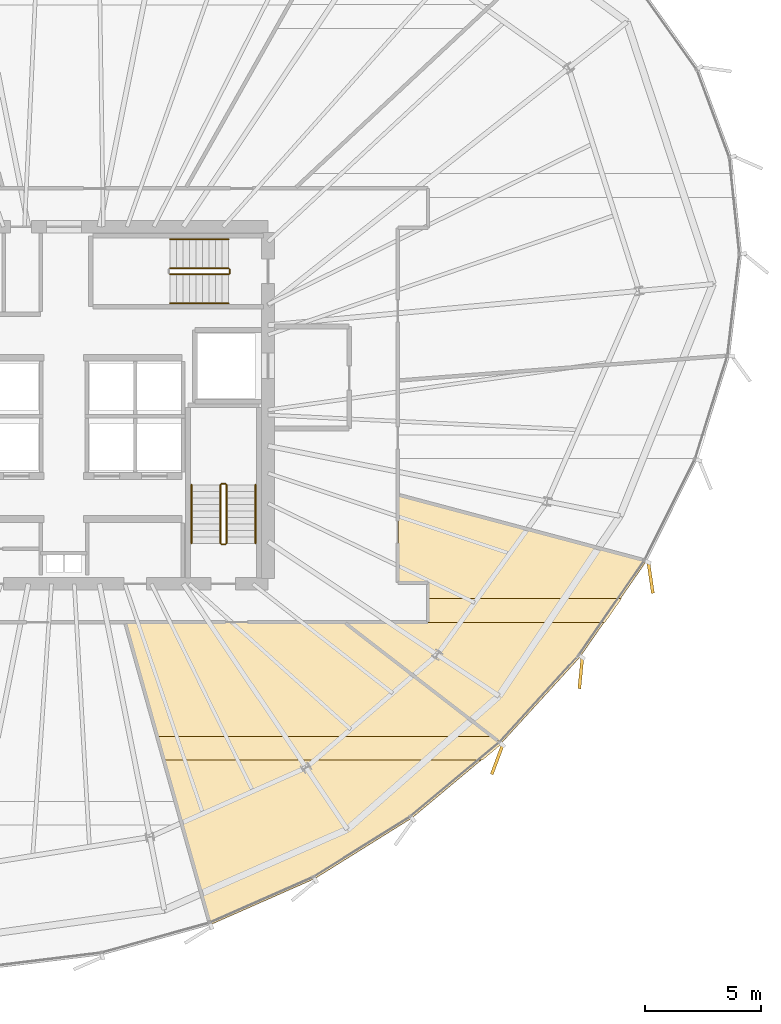
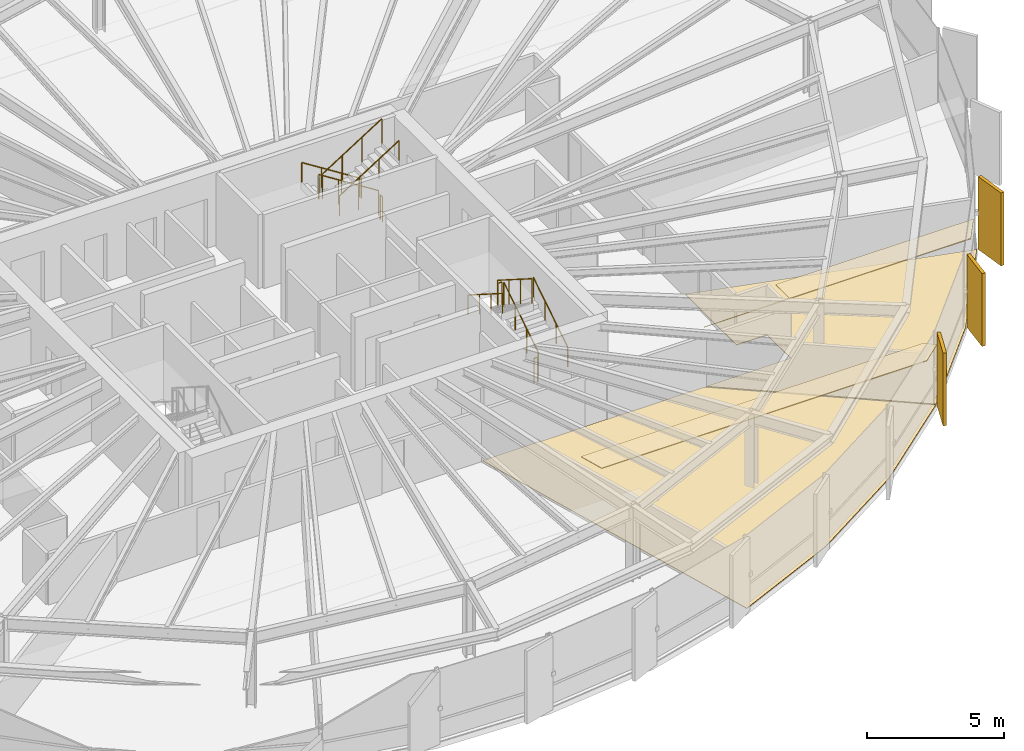
# One storey, part 34 of 35: 11 railings, 7 coverings.
"""IFC4 building model written with IfcOpenShell, lengths in metres."""

from ifc_helpers import new_model, si_unit, direction, frame, origin, origin_2d, place, context, subcontext, project, spatial, polyline, rectangle, circle, outline, extrude, source, transform, mapped, material, layer, layer_set, type_object, element, save


model = new_model("IFC4")

# Units and contexts
model_context = context("Model", 3, precision=1e-05, world=origin(), true_north=direction((0.0, 1.0)))
body_context = subcontext(model_context, "Body", "Model", "MODEL_VIEW")
ifc_project = project(units=[si_unit("LENGTHUNIT", "METRE"), si_unit("AREAUNIT", "SQUARE_METRE"), si_unit("VOLUMEUNIT", "CUBIC_METRE"), si_unit("PLANEANGLEUNIT", "RADIAN"), si_unit("MASSUNIT", "GRAM", prefix="KILO"), si_unit("THERMODYNAMICTEMPERATUREUNIT", "KELVIN")], contexts=[model_context])

# Site, building, storey
site_placement = place(None, origin())
site = spatial("IfcSite", under=ifc_project, at=site_placement, CompositionType="ELEMENT")
building_placement = place(site_placement, origin())
building = spatial("IfcBuilding", under=site, at=building_placement, Name="Kethvar Cultural Tower", CompositionType="ELEMENT")
storey_placement = place(building_placement, frame((0.0, 0.0, 146.550048828125)))
storey = spatial("IfcBuildingStorey", under=building, at=storey_placement, Name="L37", CompositionType="ELEMENT", Elevation=146.550048828125)

# Coverings
ifc_material_1 = material(Name="Acoustic Mineral Fibre Ceiling")
ifc_layer_1 = layer(ifc_material_1, 0.0400390625, Name="Acoustic Mineral Fibre Ceiling")
ifc_layer_set_1 = layer_set([ifc_layer_1], Name="Acoustic Mineral Fibre Ceiling (40 mm)")
covering_type_1 = type_object("IfcCoveringType", Name="CV-ACOUSTIC-CEIL", PredefinedType="CEILING", material=ifc_layer_set_1)
covering_1_placement = place(storey_placement, frame((0.0, 0.0, 2.669921875)))
element("IfcCovering", 1, at=covering_1_placement, inside=storey, type_object=covering_type_1, Name="L37 Room 03 Acoustic Ceiling Panel", PredefinedType="CEILING", context=body_context, shape_type="SweptSolid", body=[
    extrude(outline(polyline([(50.8076171875, 13.527099609375), (65.274169921875, 13.527099609375), (65.680419921875, 13.202880859375), (64.847900390625, 12.4970703125), (51.098388671875, 12.4970703125), (50.8076171875, 13.527099609375)])), origin(), (0.0, 0.0, 1.0), 0.0400390625),
])
covering_2_placement = place(storey_placement, frame((0.0, 0.0, 2.669921875)))
element("IfcCovering", 2, at=covering_2_placement, inside=storey, type_object=covering_type_1, Name="L37 Room 04 Acoustic Ceiling Panel", PredefinedType="CEILING", context=body_context, shape_type="SweptSolid", body=[
    extrude(outline(polyline([(58.8623046875, 18.44189453125), (62.47998046875, 18.469970703125), (62.47998046875, 19.4716796875), (70.850341796875, 19.4716796875), (70.13720703125, 18.441650390625), (58.8623046875, 18.44189453125)])), origin(), (0.0, 0.0, 1.0), 0.0400390625),
])
ifc_material_2 = material(Name="Architectural Oak Timber", Category="wood")
ifc_layer_2 = layer(ifc_material_2, 0.02490234375, Name="Architectural Oak Timber", Category="wood")
ifc_layer_set_2 = layer_set([ifc_layer_2], Name="Architectural Oak Timber (25 mm)")
covering_type_2 = type_object("IfcCoveringType", Name="CV-OAK-FLOOR", PredefinedType="FLOORING", material=ifc_layer_set_2)
covering_3_placement = place(storey_placement, origin())
element("IfcCovering", 3, at=covering_3_placement, inside=storey, type_object=covering_type_2, Name="L37 Room 03 Floor Finish", PredefinedType="FLOORING", context=body_context, shape_type="SweptSolid", body=[
    extrude(outline(polyline([(61.802001953125, 10.001708984375), (57.609375, 7.384765625), (53.13916015625, 5.413330078125), (49.46533203125, 18.429931640625), (58.873779296875, 18.429931640625), (65.628662109375, 13.201904296875), (61.802001953125, 10.001708984375)])), origin(), (0.0, 0.0, 1.0), 0.02490234375),
])
covering_4_placement = place(storey_placement, origin())
element("IfcCovering", 4, at=covering_4_placement, inside=storey, type_object=covering_type_2, Name="L37 Room 04 Floor Finish", PredefinedType="FLOORING", context=body_context, shape_type="SweptSolid", body=[
    extrude(outline(polyline([(69.0537109375, 16.947265625), (65.658203125, 13.229736328125), (58.939208984375, 18.429931640625), (62.5185546875, 18.4423828125), (62.515380859375, 20.16259765625), (61.219970703125, 20.169921875), (61.219970703125, 23.9140625), (71.896484375, 21.052490234375), (69.0537109375, 16.947265625)])), origin(), (0.0, 0.0, 1.0), 0.02490234375),
])

# Railings
ifc_material_3 = material(Name="Steel S355J2", Category="steel")
railing_type_1 = type_object("IfcRailingType", Name="RL-STAIR-GUARD", PredefinedType="BALUSTRADE", material=ifc_material_3)
railing_1_placement = place(storey_placement, frame((53.81005859375, 21.85009765625, 0.177490234375)))
element("IfcRailing", 5, at=railing_1_placement, inside=storey, type_object=railing_type_1, Name="L37 ST-02 stair guard 1", PredefinedType="BALUSTRADE", context=body_context, shape_type="SweptSolid", body=[
    extrude(circle(Radius=0.02392578125, at=origin_2d()), frame((0.0, 0.0, 1.09619140625), z_axis=(0.0, 0.84460694969, 0.535386869969), x_axis=(-1.0, 0.0, 0.0)), (0.0, 0.0, 1.0), 2.983642578125),
    extrude(circle(Radius=0.02099609375, at=origin_2d()), origin(), (0.0, 0.0, 1.0), 1.072021484375),
    extrude(circle(Radius=0.02099609375, at=origin_2d()), frame((0.0, 0.840087890625, 0.532470703125)), (0.0, 0.0, 1.0), 1.072021484375),
    extrude(circle(Radius=0.02099609375, at=origin_2d()), frame((0.0, 1.679931640625, 1.06494140625)), (0.0, 0.0, 1.0), 1.072021484375),
    extrude(circle(Radius=0.02099609375, at=origin_2d()), frame((0.0, 2.52001953125, 1.597412109375)), (0.0, 0.0, 1.0), 1.072021484375),
])
railing_2_placement = place(storey_placement, frame((53.760009765625, 24.419921875, 1.77490234375)))
element("IfcRailing", 6, at=railing_2_placement, inside=storey, type_object=railing_type_1, Name="L37 ST-02 stair guard 2", PredefinedType="BALUSTRADE", context=body_context, shape_type="SweptSolid", body=[
    extrude(circle(Radius=0.02392578125, at=origin_2d()), frame((0.0, 0.0, 1.09619140625), z_axis=(-1.0, 0.0, 0.0), x_axis=(0.0, -1.0, 0.0)), (0.0, 0.0, 1.0), 0.159912109375),
    extrude(circle(Radius=0.02099609375, at=origin_2d()), origin(), (0.0, 0.0, 1.0), 1.072021484375),
    extrude(circle(Radius=0.02099609375, at=origin_2d()), frame((-0.159912109375, 0.0, 0.0)), (0.0, 0.0, 1.0), 1.072021484375),
])
railing_3_placement = place(storey_placement, frame((53.550048828125, 24.3701171875, 1.952392578125)))
element("IfcRailing", 7, at=railing_3_placement, inside=storey, type_object=railing_type_1, Name="L37 ST-02 stair guard 3", PredefinedType="BALUSTRADE", context=body_context, shape_type="SweptSolid", body=[
    extrude(circle(Radius=0.02392578125, at=origin_2d()), frame((0.0, 0.0, 1.09619140625), z_axis=(0.0, -0.84456994832, 0.535445237532), x_axis=(1.0, 0.0, 0.0)), (0.0, 0.0, 1.0), 2.98388671875),
    extrude(circle(Radius=0.02099609375, at=origin_2d()), origin(), (0.0, 0.0, 1.0), 1.072021484375),
    extrude(circle(Radius=0.02099609375, at=origin_2d()), frame((0.0, -0.840087890625, 0.532470703125)), (0.0, 0.0, 1.0), 1.072021484375),
    extrude(circle(Radius=0.02099609375, at=origin_2d()), frame((0.0, -1.679931640625, 1.065185546875)), (0.0, 0.0, 1.0), 1.072021484375),
    extrude(circle(Radius=0.02099609375, at=origin_2d()), frame((0.0, -2.52001953125, 1.59765625)), (0.0, 0.0, 1.0), 1.072021484375),
])
railing_4_placement = place(storey_placement, frame((53.760009765625, 21.800048828125, 0.0)))
element("IfcRailing", 8, at=railing_4_placement, inside=storey, type_object=railing_type_1, Name="L37 ST-02 stair guard 4", PredefinedType="BALUSTRADE", context=body_context, shape_type="SweptSolid", body=[
    extrude(circle(Radius=0.02392578125, at=origin_2d()), frame((0.0, 0.0, 1.09619140625), z_axis=(-1.0, 0.0, 0.0), x_axis=(0.0, -1.0, 0.0)), (0.0, 0.0, 1.0), 0.159912109375),
    extrude(circle(Radius=0.02099609375, at=origin_2d()), origin(), (0.0, 0.0, 1.0), 1.072021484375),
    extrude(circle(Radius=0.02099609375, at=origin_2d()), frame((-0.159912109375, 0.0, 0.0)), (0.0, 0.0, 1.0), 1.072021484375),
])
railing_5_placement = place(storey_placement, frame((53.89990234375, 33.7099609375, 0.177490234375)))
element("IfcRailing", 9, at=railing_5_placement, inside=storey, type_object=railing_type_1, Name="L37 ST-03 stair guard 1", PredefinedType="BALUSTRADE", context=body_context, shape_type="SweptSolid", body=[
    extrude(circle(Radius=0.02392578125, at=origin_2d()), frame((0.0, 0.0, 1.09619140625), z_axis=(-0.84460694969, 0.0, 0.535386869969), x_axis=(0.0, -1.0, 0.0)), (0.0, 0.0, 1.0), 2.983642578125),
    extrude(circle(Radius=0.02099609375, at=origin_2d()), origin(), (0.0, 0.0, 1.0), 1.072021484375),
    extrude(circle(Radius=0.02099609375, at=origin_2d()), frame((-0.840087890625, 0.0, 0.532470703125)), (0.0, 0.0, 1.0), 1.072021484375),
    extrude(circle(Radius=0.02099609375, at=origin_2d()), frame((-1.679931640625, 0.0, 1.06494140625)), (0.0, 0.0, 1.0), 1.072021484375),
    extrude(circle(Radius=0.02099609375, at=origin_2d()), frame((-2.52001953125, 0.0, 1.597412109375)), (0.0, 0.0, 1.0), 1.072021484375),
])
railing_6_placement = place(storey_placement, frame((51.3798828125, 33.449951171875, 1.952392578125)))
element("IfcRailing", 10, at=railing_6_placement, inside=storey, type_object=railing_type_1, Name="L37 ST-03 stair guard 3", PredefinedType="BALUSTRADE", context=body_context, shape_type="SweptSolid", body=[
    extrude(circle(Radius=0.02392578125, at=origin_2d()), frame((0.0, 0.0, 1.09619140625), z_axis=(0.84456994832, 0.0, 0.535445237532), x_axis=(0.0, 1.0, 0.0)), (0.0, 0.0, 1.0), 2.98388671875),
    extrude(circle(Radius=0.02099609375, at=origin_2d()), origin(), (0.0, 0.0, 1.0), 1.072021484375),
    extrude(circle(Radius=0.02099609375, at=origin_2d()), frame((0.840087890625, 0.0, 0.532470703125)), (0.0, 0.0, 1.0), 1.072021484375),
    extrude(circle(Radius=0.02099609375, at=origin_2d()), frame((1.679931640625, 0.0, 1.065185546875)), (0.0, 0.0, 1.0), 1.072021484375),
    extrude(circle(Radius=0.02099609375, at=origin_2d()), frame((2.52001953125, 0.0, 1.59765625)), (0.0, 0.0, 1.0), 1.072021484375),
])
railing_7_placement = place(storey_placement, frame((53.949951171875, 33.659912109375, 0.0)))
element("IfcRailing", 11, at=railing_7_placement, inside=storey, type_object=railing_type_1, Name="L37 ST-03 stair guard 4", PredefinedType="BALUSTRADE", context=body_context, shape_type="SweptSolid", body=[
    extrude(circle(Radius=0.02392578125, at=origin_2d()), frame((0.0, 0.0, 1.09619140625), z_axis=(0.0, -1.0, 0.0), x_axis=(1.0, 0.0, 0.0)), (0.0, 0.0, 1.0), 0.159912109375),
    extrude(circle(Radius=0.02099609375, at=origin_2d()), origin(), (0.0, 0.0, 1.0), 1.072021484375),
    extrude(circle(Radius=0.02099609375, at=origin_2d()), frame((0.0, -0.159912109375, 0.0)), (0.0, 0.0, 1.0), 1.072021484375),
])
railing_type_2 = type_object("IfcRailingType", Name="RL-STAIR-HANDRAIL", PredefinedType="HANDRAIL", material=ifc_material_3)
railing_8_placement = place(storey_placement, frame((55.06005859375, 21.85009765625, 0.177490234375)))
element("IfcRailing", 12, at=railing_8_placement, inside=storey, type_object=railing_type_2, Name="L37 ST-02 stair handrail 1", PredefinedType="HANDRAIL", context=body_context, shape_type="SweptSolid", body=[
    extrude(circle(Radius=0.02392578125, at=origin_2d()), frame((0.0, 0.0, 0.8759765625), z_axis=(0.0, 0.84460694969, 0.535386869969), x_axis=(-1.0, 0.0, 0.0)), (0.0, 0.0, 1.0), 2.983642578125),
    extrude(circle(Radius=0.02099609375, at=origin_2d()), origin(), (0.0, 0.0, 1.0), 0.851806640625),
    extrude(circle(Radius=0.02099609375, at=origin_2d()), frame((0.0, 0.840087890625, 0.532470703125)), (0.0, 0.0, 1.0), 0.851806640625),
    extrude(circle(Radius=0.02099609375, at=origin_2d()), frame((0.0, 1.679931640625, 1.06494140625)), (0.0, 0.0, 1.0), 0.851806640625),
    extrude(circle(Radius=0.02099609375, at=origin_2d()), frame((0.0, 2.52001953125, 1.597412109375)), (0.0, 0.0, 1.0), 0.851806640625),
])
railing_9_placement = place(storey_placement, frame((52.300048828125, 24.3701171875, 1.952392578125)))
element("IfcRailing", 13, at=railing_9_placement, inside=storey, type_object=railing_type_2, Name="L37 ST-02 stair handrail 2", PredefinedType="HANDRAIL", context=body_context, shape_type="SweptSolid", body=[
    extrude(circle(Radius=0.02392578125, at=origin_2d()), frame((0.0, 0.0, 0.8759765625), z_axis=(0.0, -0.84456994832, 0.535445237532), x_axis=(1.0, 0.0, 0.0)), (0.0, 0.0, 1.0), 2.98388671875),
    extrude(circle(Radius=0.02099609375, at=origin_2d()), origin(), (0.0, 0.0, 1.0), 0.851806640625),
    extrude(circle(Radius=0.02099609375, at=origin_2d()), frame((0.0, -0.840087890625, 0.532470703125)), (0.0, 0.0, 1.0), 0.851806640625),
    extrude(circle(Radius=0.02099609375, at=origin_2d()), frame((0.0, -1.679931640625, 1.065185546875)), (0.0, 0.0, 1.0), 0.851806640625),
    extrude(circle(Radius=0.02099609375, at=origin_2d()), frame((0.0, -2.52001953125, 1.59765625)), (0.0, 0.0, 1.0), 0.851806640625),
])
railing_10_placement = place(storey_placement, frame((53.89990234375, 34.9599609375, 0.177490234375)))
element("IfcRailing", 14, at=railing_10_placement, inside=storey, type_object=railing_type_2, Name="L37 ST-03 stair handrail 1", PredefinedType="HANDRAIL", context=body_context, shape_type="SweptSolid", body=[
    extrude(circle(Radius=0.02392578125, at=origin_2d()), frame((0.0, 0.0, 0.8759765625), z_axis=(-0.84460694969, 0.0, 0.535386869969), x_axis=(0.0, -1.0, 0.0)), (0.0, 0.0, 1.0), 2.983642578125),
    extrude(circle(Radius=0.02099609375, at=origin_2d()), origin(), (0.0, 0.0, 1.0), 0.851806640625),
    extrude(circle(Radius=0.02099609375, at=origin_2d()), frame((-0.840087890625, 0.0, 0.532470703125)), (0.0, 0.0, 1.0), 0.851806640625),
    extrude(circle(Radius=0.02099609375, at=origin_2d()), frame((-1.679931640625, 0.0, 1.06494140625)), (0.0, 0.0, 1.0), 0.851806640625),
    extrude(circle(Radius=0.02099609375, at=origin_2d()), frame((-2.52001953125, 0.0, 1.597412109375)), (0.0, 0.0, 1.0), 0.851806640625),
])
railing_11_placement = place(storey_placement, frame((51.3798828125, 32.199951171875, 1.952392578125)))
element("IfcRailing", 15, at=railing_11_placement, inside=storey, type_object=railing_type_2, Name="L37 ST-03 stair handrail 2", PredefinedType="HANDRAIL", context=body_context, shape_type="SweptSolid", body=[
    extrude(circle(Radius=0.02392578125, at=origin_2d()), frame((0.0, 0.0, 0.8759765625), z_axis=(0.84456994832, 0.0, 0.535445237532), x_axis=(0.0, 1.0, 0.0)), (0.0, 0.0, 1.0), 2.98388671875),
    extrude(circle(Radius=0.02099609375, at=origin_2d()), origin(), (0.0, 0.0, 1.0), 0.851806640625),
    extrude(circle(Radius=0.02099609375, at=origin_2d()), frame((0.840087890625, 0.0, 0.532470703125)), (0.0, 0.0, 1.0), 0.851806640625),
    extrude(circle(Radius=0.02099609375, at=origin_2d()), frame((1.679931640625, 0.0, 1.065185546875)), (0.0, 0.0, 1.0), 0.851806640625),
    extrude(circle(Radius=0.02099609375, at=origin_2d()), frame((2.52001953125, 0.0, 1.59765625)), (0.0, 0.0, 1.0), 0.851806640625),
])

# Coverings
ifc_material_4 = material(Name="Extruded Architectural Terracotta", Category="masonry")
ifc_layer_3 = layer(ifc_material_4, 0.135009765625, Name="Extruded Architectural Terracotta", Category="masonry")
ifc_layer_set_3 = layer_set([ifc_layer_3], Name="Extruded Architectural Terracotta (135 mm)")
covering_type_3 = type_object("IfcCoveringType", Name="Terracotta Facade Fin FIN-02", PredefinedType="CLADDING", material=ifc_layer_set_3)
shared_shape = source(origin(), body_context, "Body", "SweptSolid", [
    extrude(rectangle(XDim=1.35009765625, YDim=0.135009765625, at=origin_2d()), origin(), (0.0, 0.0, 1.0), 3.260009765625),
])
for number, where, z_axis, x_axis, name in (
    (16, (65.4833984375, 12.516357421875, 0.02001953125), (0.0, 0.0, 1.0), (-0.349716892865, -0.936855428999, 0.0), "L37 Vertical Terracotta Fin 5.6"),
    (17, (69.0908203125, 16.24951171875, 0.02001953125), (0.0, 0.0, 1.0), (-0.098625045759, -0.995124665732, 0.0), "L37 Vertical Terracotta Fin 6.1"),
    (18, (72.099609375, 20.361083984375, 0.02001953125), (0.0, 0.0, 1.0), (0.146600990296, -0.989195708464, 0.0), "L37 Vertical Terracotta Fin 6.2"),
):
    element("IfcCovering", number, at=place(storey_placement, frame(where, z_axis=z_axis, x_axis=x_axis)), inside=storey, type_object=covering_type_3, Name=name, PredefinedType="CLADDING", context=body_context, shape_type="MappedRepresentation", body=[
        mapped(shared_shape, transform((0.0, 0.0, 0.0), scale=1.0)),
    ])

save(model, "model.ifc")
